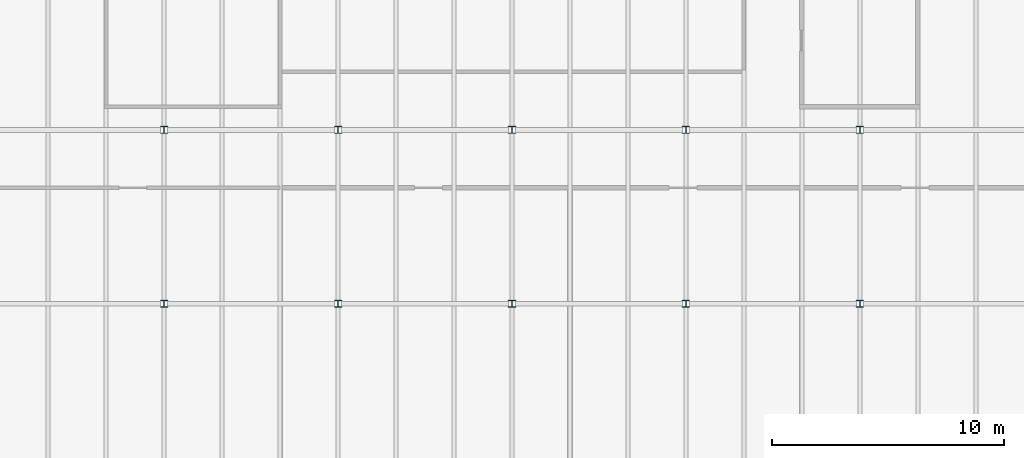
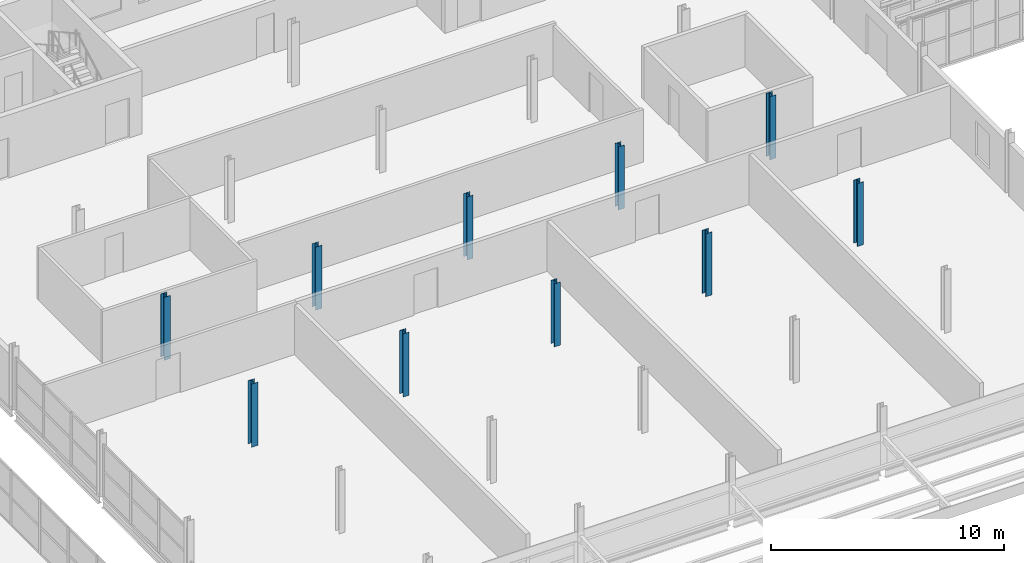
# One storey, part 10 of 214: 10 columns.
"""IFC4 building model written with IfcOpenShell, lengths in metres."""

import ifcopenshell
import ifcopenshell.guid

model = None  # the IFC model being written
_history = None  # IfcOwnerHistory: only IFC2X3 demands one
_inside = {}  # id of a spatial element -> (the spatial element, [elements in it])
_under = {}  # id of a project, library or spatial element -> (it, [spatial elements below it])
_declared = {}  # id of a project -> (the project, [libraries it declares])
_typed = {}  # id of a type object -> (the type object, [elements of that type])
_made_of = {}  # id of a material, layer set ... -> (it, [elements and type objects made of it])


def new_model(schema):
    """Start an empty IFC model of exactly this schema.

    Asked for "IFC4X3", IfcOpenShell would pick the latest addendum, in which some entities
    have other attributes; the version numbers below select the first issue.
    IFC2X3 requires an IfcOwnerHistory on every rooted entity: one is made here for all.
    """
    global model, _history
    if schema == "IFC4X3":
        model = ifcopenshell.file(schema_version=(4, 3, 0, 0))
    else:
        model = ifcopenshell.file(schema=schema)
    _inside.clear()
    _under.clear()
    _declared.clear()
    _typed.clear()
    _made_of.clear()
    _history = None
    if model.schema == "IFC2X3":
        org = make("IfcOrganization", Name="unknown")
        user = make(
            "IfcPersonAndOrganization",
            ThePerson=make("IfcPerson", FamilyName="unknown"),
            TheOrganization=org,
        )
        app = make(
            "IfcApplication",
            ApplicationDeveloper=org,
            Version="unknown",
            ApplicationFullName="unknown",
            ApplicationIdentifier="unknown",
        )
        _history = make(
            "IfcOwnerHistory",
            OwningUser=user,
            OwningApplication=app,
            ChangeAction="ADDED",
            CreationDate=0,
        )
    return model


def make(cls, **values):
    """One entity of the class cls with the attributes given. An attribute that is None is left unset."""
    return model.create_entity(
        cls, **{name: value for name, value in values.items() if value is not None}
    )


def rooted(cls, **values):
    """An entity with a GlobalId (a new one), such as an element, a storey or a relation."""
    return make(cls, GlobalId=ifcopenshell.guid.new(), OwnerHistory=_history, **values)


def si_unit(unit_type, name, prefix=None):
    """IfcSIUnit, for example si_unit("LENGTHUNIT", "METRE", prefix="MILLI")."""
    return make("IfcSIUnit", UnitType=unit_type, Prefix=prefix, Name=name)


def assignment(units):
    """IfcUnitAssignment: the units of a project."""
    return None if units is None else make("IfcUnitAssignment", Units=units)


def point(xyz):
    """IfcCartesianPoint."""
    return None if xyz is None else make("IfcCartesianPoint", Coordinates=xyz)


def direction(xyz):
    """IfcDirection."""
    return None if xyz is None else make("IfcDirection", DirectionRatios=xyz)


def frame(location, z_axis=None, x_axis=None):
    """IfcAxis2Placement3D, a coordinate frame: its origin and axes. An axis left out is left unset."""
    return make(
        "IfcAxis2Placement3D",
        Location=point(location),
        Axis=direction(z_axis),
        RefDirection=direction(x_axis),
    )


def frame_2d(location, x_axis=None):
    """IfcAxis2Placement2D, a coordinate frame in the plane: its origin and x axis."""
    return make(
        "IfcAxis2Placement2D", Location=point(location), RefDirection=direction(x_axis)
    )


def origin():
    """The frame at (0, 0, 0) with its axes left unset."""
    return frame((0.0, 0.0, 0.0))


def origin_2d():
    """The frame at (0, 0) in the plane with its x axis left unset."""
    return frame_2d((0.0, 0.0))


def place(relative_to, where):
    """IfcLocalPlacement: puts the frame where relative to a parent placement (None: the world)."""
    return make(
        "IfcLocalPlacement", PlacementRelTo=relative_to, RelativePlacement=where
    )


def context(
    kind, dimensions, precision=None, world=None, true_north=None, identifier=None
):
    """IfcGeometricRepresentationContext, for example the 3D "Model" context."""
    return make(
        "IfcGeometricRepresentationContext",
        ContextIdentifier=identifier,
        ContextType=kind,
        CoordinateSpaceDimension=dimensions,
        Precision=precision,
        WorldCoordinateSystem=world,
        TrueNorth=true_north,
    )


def subcontext(parent, identifier, kind, view, scale=None):
    """IfcGeometricRepresentationSubContext, for example "Body" below "Model"."""
    return make(
        "IfcGeometricRepresentationSubContext",
        ContextIdentifier=identifier,
        ContextType=kind,
        ParentContext=parent,
        TargetScale=scale,
        TargetView=view,
    )


def project(units=None, contexts=None):
    """IfcProject with its units and contexts."""
    return rooted(
        "IfcProject",
        Name="project",
        RepresentationContexts=contexts,
        UnitsInContext=assignment(units),
    )


def spatial(cls, under=None, at=None, **own):
    """A site, building, storey or space (cls), placed at a placement, below another one or the project."""
    s = rooted(cls, ObjectPlacement=at, **own)
    if under is not None:
        _under.setdefault(under.id(), (under, []))[1].append(s)
    return s


def profile(cls, at=None, kind="AREA", **sizes):
    """A parametric profile (cls). Its sizes go by their IFC names, for example OverallWidth=200.0."""
    return make(cls, ProfileType=kind, Position=at, **sizes)


def i_section(**sizes):
    """IfcIShapeProfileDef."""
    return profile("IfcIShapeProfileDef", **sizes)


def extrude(swept, where, along, depth):
    """IfcExtrudedAreaSolid: the profile swept, set in the frame where, extruded along a direction by depth."""
    return make(
        "IfcExtrudedAreaSolid",
        SweptArea=swept,
        Position=where,
        ExtrudedDirection=direction(along),
        Depth=depth,
    )


def shape(context_of_items, identifier, shape_type, items):
    """IfcShapeRepresentation: the items that make up one representation, for example the "Body"."""
    return make(
        "IfcShapeRepresentation",
        ContextOfItems=context_of_items,
        RepresentationIdentifier=identifier,
        RepresentationType=shape_type,
        Items=items,
    )


def material(Name=None, Category=None):
    """IfcMaterial."""
    return make("IfcMaterial", Name=Name, Category=Category)


def material_profile(
    of_material, cross_section, Name=None, Category=None, Priority=None
):
    """IfcMaterialProfile: a cross section and its material."""
    return make(
        "IfcMaterialProfile",
        Name=Name,
        Material=of_material,
        Profile=cross_section,
        Priority=Priority,
        Category=Category,
    )


def profile_set(profiles, Name=None, composite=None):
    """IfcMaterialProfileSet."""
    return make(
        "IfcMaterialProfileSet",
        Name=Name,
        MaterialProfiles=profiles,
        CompositeProfile=composite,
    )


def made_of(thing, what):
    """Note that an element or type object is made of a material, layer set ...; save() writes the relation."""
    if what is not None:
        _made_of.setdefault(what.id(), (what, []))[1].append(thing)
    return thing


def type_object(cls, material=None, **own):
    """A type object (cls), such as IfcWallType, which elements share."""
    return made_of(rooted(cls, **own), material)


def element(
    cls,
    number,
    at=None,
    inside=None,
    cuts=None,
    type_object=None,
    material=None,
    context=None,
    identifier="Body",
    shape_type=None,
    held_by="IfcProductDefinitionShape",
    body=None,
    shapes=None,
    **own,
):
    """One element of the class cls, such as IfcWall. Its Tag is "e" and its number.

    at: its placement. inside: the storey or other place that contains it. cuts: it is an
    opening in that element (IfcRelVoidsElement). A single representation is given by context,
    identifier, shape_type and body (its items); several are given by shapes. held_by: the class
    of the entity that holds the representations. save() writes the other relations.
    """
    e = rooted(cls, Tag="e%d" % number, ObjectPlacement=at, **own)
    if body is not None:
        shapes = [shape(context, identifier, shape_type, body)]
    if shapes is not None:
        e.Representation = make(held_by, Representations=shapes)
    if inside is not None:
        _inside.setdefault(inside.id(), (inside, []))[1].append(e)
    if cuts is not None:
        rooted(
            "IfcRelVoidsElement", RelatingBuildingElement=cuts, RelatedOpeningElement=e
        )
    if type_object is not None:
        _typed.setdefault(type_object.id(), (type_object, []))[1].append(e)
    return made_of(e, material)


def aggregate(whole, parts):
    """IfcRelAggregates: a whole, such as a stair, and the parts it consists of."""
    return rooted("IfcRelAggregates", RelatingObject=whole, RelatedObjects=parts)


def save(model, path):
    """Write the relations noted so far, then the file.

    IfcRelAggregates (storeys below a building ...), IfcRelContainedInSpatialStructure (elements
    in a storey), IfcRelDefinesByType, IfcRelAssociatesMaterial and IfcRelDeclares: one each for
    every whole, place, type object, material and project.
    """
    for whole, parts in _under.values():
        aggregate(whole, parts)
    for where, things in _inside.values():
        rooted(
            "IfcRelContainedInSpatialStructure",
            RelatedElements=things,
            RelatingStructure=where,
        )
    for kind, things in _typed.values():
        rooted("IfcRelDefinesByType", RelatedObjects=things, RelatingType=kind)
    for what, things in _made_of.values():
        rooted("IfcRelAssociatesMaterial", RelatedObjects=things, RelatingMaterial=what)
    for by, libraries in _declared.values():
        rooted("IfcRelDeclares", RelatingContext=by, RelatedDefinitions=libraries)
    model.write(path)


model = new_model("IFC4")

# Units and contexts
model_context = context("Model", 3, precision=1e-05, world=origin(), true_north=direction((0.0, 1.0)))
body_context = subcontext(model_context, "Body", "Model", "MODEL_VIEW")
ifc_project = project(units=[si_unit("LENGTHUNIT", "METRE"), si_unit("AREAUNIT", "SQUARE_METRE"), si_unit("VOLUMEUNIT", "CUBIC_METRE"), si_unit("PLANEANGLEUNIT", "RADIAN"), si_unit("MASSUNIT", "GRAM", prefix="KILO")], contexts=[model_context])

# Site, building, storey
site_placement = place(None, origin())
site = spatial("IfcSite", under=ifc_project, at=site_placement, CompositionType="ELEMENT")
building_placement = place(site_placement, origin())
building = spatial("IfcBuilding", under=site, at=building_placement, Name="Parallax Yard Mobility Hub", CompositionType="ELEMENT")
storey_placement = place(building_placement, frame((0.0, 0.0, 3.300048828125)))
storey = spatial("IfcBuildingStorey", under=building, at=storey_placement, Name="L01", CompositionType="ELEMENT", Elevation=3.300048828125)

# Columns
ifc_material = material(Name="Steel ASTM A992", Category="steel")
ifc_material_profile = material_profile(ifc_material, i_section(OverallWidth=0.304931640625, OverallDepth=0.31201171875, WebThickness=0.010986328125, FlangeThickness=0.01708984375, FilletRadius=0.015380859375, at=origin_2d()), Name="W310x107")
ifc_profile_set = profile_set([ifc_material_profile], Name="Steel ASTM A992")
column_type = type_object("IfcColumnType", Name="W310x107 column", PredefinedType="COLUMN", material=ifc_profile_set)
for number, where, z_axis, x_axis, name in (
    (1, (105.0, 22.5, 0.0), (0.0, 0.0, 1.0), (1.0, 0.0, 0.0), "Column C2 level L01 at D/15 of mobility service centre and workshops"),
    (2, (105.0, 30.0, 0.0), (0.0, 0.0, 1.0), (1.0, 0.0, 0.0), "Column C2 level L01 at E/15 of mobility service centre and workshops"),
    (3, (112.5, 22.5, 0.0), (0.0, 0.0, 1.0), (1.0, 0.0, 0.0), "Column C2 level L01 at D/16 of mobility service centre and workshops"),
    (4, (112.5, 30.0, 0.0), (0.0, 0.0, 1.0), (1.0, 0.0, 0.0), "Column C2 level L01 at E/16 of mobility service centre and workshops"),
    (5, (120.0, 22.5, 0.0), (0.0, 0.0, 1.0), (1.0, 0.0, 0.0), "Column C2 level L01 at D/17 of mobility service centre and workshops"),
    (6, (120.0, 30.0, 0.0), (0.0, 0.0, 1.0), (1.0, 0.0, 0.0), "Column C2 level L01 at E/17 of mobility service centre and workshops"),
    (7, (127.5, 22.5, 0.0), (0.0, 0.0, 1.0), (1.0, 0.0, 0.0), "Column C2 level L01 at D/18 of mobility service centre and workshops"),
    (8, (127.5, 30.0, 0.0), (0.0, 0.0, 1.0), (1.0, 0.0, 0.0), "Column C2 level L01 at E/18 of mobility service centre and workshops"),
    (9, (135.0, 22.5, 0.0), (0.0, 0.0, 1.0), (1.0, 0.0, 0.0), "Column C2 level L01 at D/19 of mobility service centre and workshops"),
    (10, (135.0, 30.0, 0.0), (0.0, 0.0, 1.0), (1.0, 0.0, 0.0), "Column C2 level L01 at E/19 of mobility service centre and workshops"),
):
    element("IfcColumn", number, at=place(storey_placement, frame(where, z_axis=z_axis, x_axis=x_axis)), inside=storey, type_object=column_type, Name=name, PredefinedType="COLUMN", context=body_context, shape_type="SweptSolid", body=[
        extrude(i_section(OverallWidth=0.304931640625, OverallDepth=0.31201171875, WebThickness=0.010986328125, FlangeThickness=0.01708984375, FilletRadius=0.015380859375, at=origin_2d()), origin(), (0.0, 0.0, 1.0), 3.300048828125),
    ])

save(model, "model.ifc")
